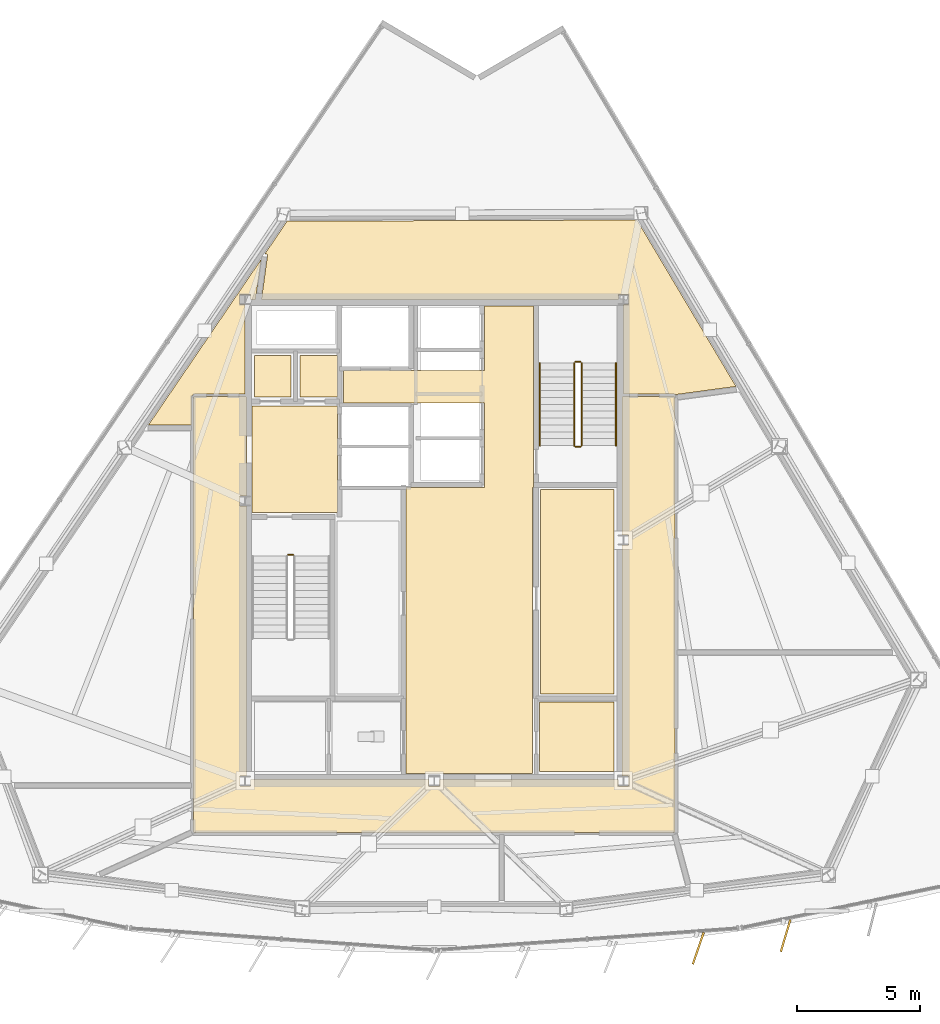
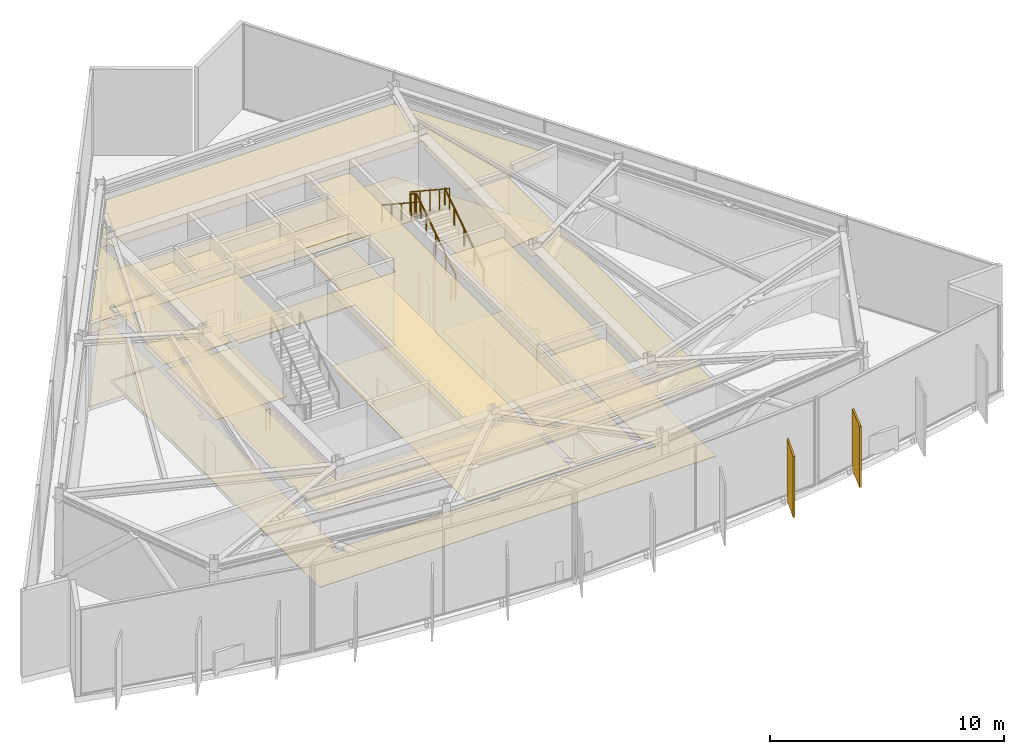
# One storey, part 12 of 14: 18 coverings, 7 railings, 2 shading devices.
"""IFC4 building model written with IfcOpenShell, lengths in metres."""

import ifcopenshell
import ifcopenshell.guid

model = None  # the IFC model being written
_history = None  # IfcOwnerHistory: only IFC2X3 demands one
_inside = {}  # id of a spatial element -> (the spatial element, [elements in it])
_under = {}  # id of a project, library or spatial element -> (it, [spatial elements below it])
_declared = {}  # id of a project -> (the project, [libraries it declares])
_typed = {}  # id of a type object -> (the type object, [elements of that type])
_made_of = {}  # id of a material, layer set ... -> (it, [elements and type objects made of it])


def new_model(schema):
    """Start an empty IFC model of exactly this schema.

    Asked for "IFC4X3", IfcOpenShell would pick the latest addendum, in which some entities
    have other attributes; the version numbers below select the first issue.
    IFC2X3 requires an IfcOwnerHistory on every rooted entity: one is made here for all.
    """
    global model, _history
    if schema == "IFC4X3":
        model = ifcopenshell.file(schema_version=(4, 3, 0, 0))
    else:
        model = ifcopenshell.file(schema=schema)
    _inside.clear()
    _under.clear()
    _declared.clear()
    _typed.clear()
    _made_of.clear()
    _history = None
    if model.schema == "IFC2X3":
        org = make("IfcOrganization", Name="unknown")
        user = make(
            "IfcPersonAndOrganization",
            ThePerson=make("IfcPerson", FamilyName="unknown"),
            TheOrganization=org,
        )
        app = make(
            "IfcApplication",
            ApplicationDeveloper=org,
            Version="unknown",
            ApplicationFullName="unknown",
            ApplicationIdentifier="unknown",
        )
        _history = make(
            "IfcOwnerHistory",
            OwningUser=user,
            OwningApplication=app,
            ChangeAction="ADDED",
            CreationDate=0,
        )
    return model


def make(cls, **values):
    """One entity of the class cls with the attributes given. An attribute that is None is left unset."""
    return model.create_entity(
        cls, **{name: value for name, value in values.items() if value is not None}
    )


def rooted(cls, **values):
    """An entity with a GlobalId (a new one), such as an element, a storey or a relation."""
    return make(cls, GlobalId=ifcopenshell.guid.new(), OwnerHistory=_history, **values)


def si_unit(unit_type, name, prefix=None):
    """IfcSIUnit, for example si_unit("LENGTHUNIT", "METRE", prefix="MILLI")."""
    return make("IfcSIUnit", UnitType=unit_type, Prefix=prefix, Name=name)


def assignment(units):
    """IfcUnitAssignment: the units of a project."""
    return None if units is None else make("IfcUnitAssignment", Units=units)


def point(xyz):
    """IfcCartesianPoint."""
    return None if xyz is None else make("IfcCartesianPoint", Coordinates=xyz)


def direction(xyz):
    """IfcDirection."""
    return None if xyz is None else make("IfcDirection", DirectionRatios=xyz)


def frame(location, z_axis=None, x_axis=None):
    """IfcAxis2Placement3D, a coordinate frame: its origin and axes. An axis left out is left unset."""
    return make(
        "IfcAxis2Placement3D",
        Location=point(location),
        Axis=direction(z_axis),
        RefDirection=direction(x_axis),
    )


def frame_2d(location, x_axis=None):
    """IfcAxis2Placement2D, a coordinate frame in the plane: its origin and x axis."""
    return make(
        "IfcAxis2Placement2D", Location=point(location), RefDirection=direction(x_axis)
    )


def origin():
    """The frame at (0, 0, 0) with its axes left unset."""
    return frame((0.0, 0.0, 0.0))


def origin_2d():
    """The frame at (0, 0) in the plane with its x axis left unset."""
    return frame_2d((0.0, 0.0))


def place(relative_to, where):
    """IfcLocalPlacement: puts the frame where relative to a parent placement (None: the world)."""
    return make(
        "IfcLocalPlacement", PlacementRelTo=relative_to, RelativePlacement=where
    )


def context(
    kind, dimensions, precision=None, world=None, true_north=None, identifier=None
):
    """IfcGeometricRepresentationContext, for example the 3D "Model" context."""
    return make(
        "IfcGeometricRepresentationContext",
        ContextIdentifier=identifier,
        ContextType=kind,
        CoordinateSpaceDimension=dimensions,
        Precision=precision,
        WorldCoordinateSystem=world,
        TrueNorth=true_north,
    )


def subcontext(parent, identifier, kind, view, scale=None):
    """IfcGeometricRepresentationSubContext, for example "Body" below "Model"."""
    return make(
        "IfcGeometricRepresentationSubContext",
        ContextIdentifier=identifier,
        ContextType=kind,
        ParentContext=parent,
        TargetScale=scale,
        TargetView=view,
    )


def project(units=None, contexts=None):
    """IfcProject with its units and contexts."""
    return rooted(
        "IfcProject",
        Name="project",
        RepresentationContexts=contexts,
        UnitsInContext=assignment(units),
    )


def spatial(cls, under=None, at=None, **own):
    """A site, building, storey or space (cls), placed at a placement, below another one or the project."""
    s = rooted(cls, ObjectPlacement=at, **own)
    if under is not None:
        _under.setdefault(under.id(), (under, []))[1].append(s)
    return s


def polyline(points):
    """IfcPolyline through the points."""
    return make("IfcPolyline", Points=[point(p) for p in points])


def profile(cls, at=None, kind="AREA", **sizes):
    """A parametric profile (cls). Its sizes go by their IFC names, for example OverallWidth=200.0."""
    return make(cls, ProfileType=kind, Position=at, **sizes)


def rectangle(**sizes):
    """IfcRectangleProfileDef."""
    return profile("IfcRectangleProfileDef", **sizes)


def circle(**sizes):
    """IfcCircleProfileDef."""
    return profile("IfcCircleProfileDef", **sizes)


def outline(outer, holes=None, kind="AREA"):
    """IfcArbitraryClosedProfileDef: a profile drawn as a closed curve; with holes, ...WithVoids."""
    if holes is None:
        return make("IfcArbitraryClosedProfileDef", ProfileType=kind, OuterCurve=outer)
    return make(
        "IfcArbitraryProfileDefWithVoids",
        ProfileType=kind,
        OuterCurve=outer,
        InnerCurves=holes,
    )


def extrude(swept, where, along, depth):
    """IfcExtrudedAreaSolid: the profile swept, set in the frame where, extruded along a direction by depth."""
    return make(
        "IfcExtrudedAreaSolid",
        SweptArea=swept,
        Position=where,
        ExtrudedDirection=direction(along),
        Depth=depth,
    )


def shape(context_of_items, identifier, shape_type, items):
    """IfcShapeRepresentation: the items that make up one representation, for example the "Body"."""
    return make(
        "IfcShapeRepresentation",
        ContextOfItems=context_of_items,
        RepresentationIdentifier=identifier,
        RepresentationType=shape_type,
        Items=items,
    )


def material(Name=None, Category=None):
    """IfcMaterial."""
    return make("IfcMaterial", Name=Name, Category=Category)


def layer(
    of_material, thickness, ventilated=None, Name=None, Category=None, Priority=None
):
    """IfcMaterialLayer: one layer of a wall or slab, of a material (None: an air gap)."""
    return make(
        "IfcMaterialLayer",
        Material=of_material,
        LayerThickness=thickness,
        IsVentilated=ventilated,
        Name=Name,
        Category=Category,
        Priority=Priority,
    )


def layer_set(layers, Name=None):
    """IfcMaterialLayerSet."""
    return make("IfcMaterialLayerSet", MaterialLayers=layers, LayerSetName=Name)


def made_of(thing, what):
    """Note that an element or type object is made of a material, layer set ...; save() writes the relation."""
    if what is not None:
        _made_of.setdefault(what.id(), (what, []))[1].append(thing)
    return thing


def type_object(cls, material=None, **own):
    """A type object (cls), such as IfcWallType, which elements share."""
    return made_of(rooted(cls, **own), material)


def element(
    cls,
    number,
    at=None,
    inside=None,
    cuts=None,
    type_object=None,
    material=None,
    context=None,
    identifier="Body",
    shape_type=None,
    held_by="IfcProductDefinitionShape",
    body=None,
    shapes=None,
    **own,
):
    """One element of the class cls, such as IfcWall. Its Tag is "e" and its number.

    at: its placement. inside: the storey or other place that contains it. cuts: it is an
    opening in that element (IfcRelVoidsElement). A single representation is given by context,
    identifier, shape_type and body (its items); several are given by shapes. held_by: the class
    of the entity that holds the representations. save() writes the other relations.
    """
    e = rooted(cls, Tag="e%d" % number, ObjectPlacement=at, **own)
    if body is not None:
        shapes = [shape(context, identifier, shape_type, body)]
    if shapes is not None:
        e.Representation = make(held_by, Representations=shapes)
    if inside is not None:
        _inside.setdefault(inside.id(), (inside, []))[1].append(e)
    if cuts is not None:
        rooted(
            "IfcRelVoidsElement", RelatingBuildingElement=cuts, RelatedOpeningElement=e
        )
    if type_object is not None:
        _typed.setdefault(type_object.id(), (type_object, []))[1].append(e)
    return made_of(e, material)


def aggregate(whole, parts):
    """IfcRelAggregates: a whole, such as a stair, and the parts it consists of."""
    return rooted("IfcRelAggregates", RelatingObject=whole, RelatedObjects=parts)


def save(model, path):
    """Write the relations noted so far, then the file.

    IfcRelAggregates (storeys below a building ...), IfcRelContainedInSpatialStructure (elements
    in a storey), IfcRelDefinesByType, IfcRelAssociatesMaterial and IfcRelDeclares: one each for
    every whole, place, type object, material and project.
    """
    for whole, parts in _under.values():
        aggregate(whole, parts)
    for where, things in _inside.values():
        rooted(
            "IfcRelContainedInSpatialStructure",
            RelatedElements=things,
            RelatingStructure=where,
        )
    for kind, things in _typed.values():
        rooted("IfcRelDefinesByType", RelatedObjects=things, RelatingType=kind)
    for what, things in _made_of.values():
        rooted("IfcRelAssociatesMaterial", RelatedObjects=things, RelatingMaterial=what)
    for by, libraries in _declared.values():
        rooted("IfcRelDeclares", RelatingContext=by, RelatedDefinitions=libraries)
    model.write(path)


model = new_model("IFC4")

# Units and contexts
model_context = context("Model", 3, precision=1e-05, world=origin(), true_north=direction((0.0, 1.0)))
body_context = subcontext(model_context, "Body", "Model", "MODEL_VIEW")
ifc_project = project(units=[si_unit("LENGTHUNIT", "METRE"), si_unit("AREAUNIT", "SQUARE_METRE"), si_unit("VOLUMEUNIT", "CUBIC_METRE"), si_unit("PLANEANGLEUNIT", "RADIAN"), si_unit("MASSUNIT", "GRAM", prefix="KILO")], contexts=[model_context])

# Site, building, storey
site_placement = place(None, origin())
site = spatial("IfcSite", under=ifc_project, at=site_placement, CompositionType="ELEMENT")
building_placement = place(site_placement, origin())
building = spatial("IfcBuilding", under=site, at=building_placement, Name="Savorim Split Tower", CompositionType="ELEMENT")
storey_placement = place(building_placement, frame((0.0, 0.0, 241.5)))
storey = spatial("IfcBuildingStorey", under=building, at=storey_placement, Name="L64", CompositionType="ELEMENT", Elevation=241.5)

# Coverings
ifc_material_1 = material(Name="Mineral Fibre Acoustic Ceiling")
ifc_layer_1 = layer(ifc_material_1, 0.02490234375)
ifc_layer_set_1 = layer_set([ifc_layer_1], Name="COV-CEIL-25")
covering_type_1 = type_object("IfcCoveringType", Name="COV-CEIL-25", PredefinedType="CEILING", material=ifc_layer_set_1)
covering_1_placement = place(storey_placement, frame((0.0, 0.0, 3.820068359375)))
element("IfcCovering", 1, at=covering_1_placement, inside=storey, type_object=covering_type_1, Name="L64 Firefighting Lift Lobby Acoustic Ceiling", PredefinedType="CEILING", context=body_context, shape_type="SweptSolid", body=[
    extrude(outline(polyline([(-7.429931640625, 5.8701171875), (-7.429931640625, 1.530029296875), (-3.929931640625, 1.530029296875), (-3.929931640625, 5.8701171875), (-7.429931640625, 5.8701171875)])), origin(), (0.0, 0.0, 1.0), 0.02490234375),
])
covering_2_placement = place(storey_placement, frame((0.0, 0.0, 3.820068359375)))
element("IfcCovering", 2, at=covering_2_placement, inside=storey, type_object=covering_type_1, Name="L64 Electrical Riser Acoustic Ceiling", PredefinedType="CEILING", context=body_context, shape_type="SweptSolid", body=[
    extrude(outline(polyline([(-7.320068359375, 7.919921875), (-7.320068359375, 6.22998046875), (-5.830078125, 6.22998046875), (-5.830078125, 7.919921875), (-7.320068359375, 7.919921875)])), origin(), (0.0, 0.0, 1.0), 0.02490234375),
])
covering_3_placement = place(storey_placement, frame((0.0, 0.0, 3.820068359375)))
element("IfcCovering", 3, at=covering_3_placement, inside=storey, type_object=covering_type_1, Name="L64 Telecom Riser Acoustic Ceiling", PredefinedType="CEILING", context=body_context, shape_type="SweptSolid", body=[
    extrude(outline(polyline([(-5.469970703125, 7.919921875), (-5.469970703125, 6.22998046875), (-3.929931640625, 6.22998046875), (-3.929931640625, 7.919921875), (-5.469970703125, 7.919921875)])), origin(), (0.0, 0.0, 1.0), 0.02490234375),
])
covering_4_placement = place(storey_placement, frame((0.0, 0.0, 3.820068359375)))
element("IfcCovering", 4, at=covering_4_placement, inside=storey, type_object=covering_type_1, Name="L64 Lift Lobby Acoustic Ceiling", PredefinedType="CEILING", context=body_context, shape_type="SweptSolid", body=[
    extrude(outline(polyline([(2.050048828125, 2.550048828125), (-1.14990234375, 2.550048828125), (-1.14990234375, -9.10009765625), (4.0, -9.10009765625), (4.0, 2.550048828125), (4.050048828125, 2.550048828125), (4.050048828125, 5.97998046875), (4.050048828125, 7.300048828125), (4.050048828125, 9.929931640625), (2.050048828125, 9.929931640625), (2.050048828125, 7.300048828125), (-3.699951171875, 7.300048828125), (-3.699951171875, 5.97998046875), (2.050048828125, 5.97998046875), (2.050048828125, 2.550048828125)])), origin(), (0.0, 0.0, 1.0), 0.02490234375),
])
covering_5_placement = place(storey_placement, frame((0.0, 0.0, 3.820068359375)))
element("IfcCovering", 5, at=covering_5_placement, inside=storey, type_object=covering_type_1, Name="L64 Booster Transfer Plant Room Acoustic Ceiling", PredefinedType="CEILING", context=body_context, shape_type="SweptSolid", body=[
    extrude(outline(polyline([(4.330078125, 2.469970703125), (4.330078125, -5.8701171875), (7.320068359375, -5.8701171875), (7.320068359375, 2.469970703125), (4.330078125, 2.469970703125)])), origin(), (0.0, 0.0, 1.0), 0.02490234375),
])
covering_6_placement = place(storey_placement, frame((0.0, 0.0, 3.820068359375)))
element("IfcCovering", 6, at=covering_6_placement, inside=storey, type_object=covering_type_1, Name="L64 Emergency BMS Plant Room Acoustic Ceiling", PredefinedType="CEILING", context=body_context, shape_type="SweptSolid", body=[
    extrude(outline(polyline([(4.280029296875, -6.179931640625), (4.280029296875, -9.02001953125), (7.320068359375, -9.02001953125), (7.320068359375, -6.179931640625), (4.280029296875, -6.179931640625)])), origin(), (0.0, 0.0, 1.0), 0.02490234375),
])
covering_7_placement = place(storey_placement, frame((0.0, 0.0, 3.820068359375)))
element("IfcCovering", 7, at=covering_7_placement, inside=storey, type_object=covering_type_1, Name="L64 Plant Corridor Acoustic Ceiling", PredefinedType="CEILING", context=body_context, shape_type="SweptSolid", body=[
    extrude(outline(polyline([(7.908935546875, 0.196533203125), (7.64990234375, 0.196533203125), (7.64990234375, -9.196533203125), (7.908935546875, -9.196533203125), (7.908935546875, -9.603515625), (7.490966796875, -9.603515625), (7.490966796875, -9.35009765625), (0.208984375, -9.35009765625), (0.208984375, -9.603515625), (-0.208984375, -9.603515625), (-0.208984375, -9.35009765625), (-7.490966796875, -9.35009765625), (-7.490966796875, -9.603515625), (-7.908935546875, -9.603515625), (-7.908935546875, -9.196533203125), (-7.64990234375, -9.196533203125), (-7.64990234375, 1.79638671875), (-7.908935546875, 1.79638671875), (-7.908935546875, 2.20361328125), (-7.64990234375, 2.20361328125), (-7.64990234375, 6.199951171875), (-7.650146484375, 6.204833984375), (-7.65087890625, 6.209716796875), (-7.652099609375, 6.214599609375), (-7.65380859375, 6.218994140625), (-7.656005859375, 6.2236328125), (-7.658447265625, 6.227783203125), (-7.661376953125, 6.231689453125), (-7.66455078125, 6.2353515625), (-7.668212890625, 6.23876953125), (-7.672119140625, 6.24169921875), (-7.676513671875, 6.244140625), (-7.680908203125, 6.24609375), (-7.685546875, 6.247802734375), (-7.690185546875, 6.2490234375), (-7.695068359375, 6.249755859375), (-7.699951171875, 6.25), (-9.75, 6.25), (-9.7548828125, 6.249755859375), (-9.759765625, 6.2490234375), (-9.764404296875, 6.247802734375), (-9.76904296875, 6.24609375), (-9.773681640625, 6.244140625), (-9.77783203125, 6.24169921875), (-9.78173828125, 6.23876953125), (-9.785400390625, 6.2353515625), (-9.788818359375, 6.231689453125), (-9.79150390625, 6.227783203125), (-9.794189453125, 6.2236328125), (-9.796142578125, 6.218994140625), (-9.7978515625, 6.214599609375), (-9.799072265625, 6.209716796875), (-9.7998046875, 6.204833984375), (-9.800048828125, 6.199951171875), (-9.800048828125, -11.449951171875), (-9.7998046875, -11.454833984375), (-9.799072265625, -11.459716796875), (-9.7978515625, -11.464599609375), (-9.796142578125, -11.468994140625), (-9.794189453125, -11.4736328125), (-9.79150390625, -11.477783203125), (-9.788818359375, -11.481689453125), (-9.785400390625, -11.4853515625), (-9.78173828125, -11.48876953125), (-9.77783203125, -11.49169921875), (-9.773681640625, -11.494140625), (-9.76904296875, -11.49609375), (-9.764404296875, -11.497802734375), (-9.759765625, -11.4990234375), (-9.7548828125, -11.499755859375), (-9.75, -11.5), (9.75, -11.5), (9.7548828125, -11.499755859375), (9.759765625, -11.4990234375), (9.764404296875, -11.497802734375), (9.76904296875, -11.49609375), (9.773681640625, -11.494140625), (9.77783203125, -11.49169921875), (9.78173828125, -11.48876953125), (9.785400390625, -11.4853515625), (9.788818359375, -11.481689453125), (9.79150390625, -11.477783203125), (9.794189453125, -11.4736328125), (9.796142578125, -11.468994140625), (9.7978515625, -11.464599609375), (9.799072265625, -11.459716796875), (9.7998046875, -11.454833984375), (9.800048828125, -11.449951171875), (9.800048828125, 6.199951171875), (9.7998046875, 6.204833984375), (9.799072265625, 6.209716796875), (9.7978515625, 6.214599609375), (9.796142578125, 6.218994140625), (9.794189453125, 6.2236328125), (9.79150390625, 6.227783203125), (9.788818359375, 6.231689453125), (9.785400390625, 6.2353515625), (9.78173828125, 6.23876953125), (9.77783203125, 6.24169921875), (9.773681640625, 6.244140625), (9.76904296875, 6.24609375), (9.764404296875, 6.247802734375), (9.759765625, 6.2490234375), (9.7548828125, 6.249755859375), (9.75, 6.25), (7.699951171875, 6.25), (7.695068359375, 6.249755859375), (7.690185546875, 6.2490234375), (7.685546875, 6.247802734375), (7.680908203125, 6.24609375), (7.676513671875, 6.244140625), (7.672119140625, 6.24169921875), (7.668212890625, 6.23876953125), (7.66455078125, 6.2353515625), (7.661376953125, 6.231689453125), (7.658447265625, 6.227783203125), (7.656005859375, 6.2236328125), (7.65380859375, 6.218994140625), (7.652099609375, 6.214599609375), (7.65087890625, 6.209716796875), (7.650146484375, 6.204833984375), (7.64990234375, 6.199951171875), (7.64990234375, 0.603515625), (7.908935546875, 0.603515625), (7.908935546875, 0.196533203125)])), origin(), (0.0, 0.0, 1.0), 0.02490234375),
])
covering_8_placement = place(storey_placement, frame((0.0, 0.0, 3.820068359375)))
element("IfcCovering", 8, at=covering_8_placement, inside=storey, type_object=covering_type_1, Name="L64 Refuge Area South-West Acoustic Ceiling", PredefinedType="CEILING", context=body_context, shape_type="SweptSolid", body=[
    extrude(outline(polyline([(12.28369140625, 6.657958984375), (8.25439453125, 13.43408203125), (-5.98974609375, 13.386474609375), (-6.898193359375, 12.05078125), (-6.783203125, 12.034912109375), (-7.03515625, 10.199951171875), (7.490966796875, 10.199951171875), (7.490966796875, 10.403564453125), (7.908935546875, 10.403564453125), (7.908935546875, 9.99658203125), (7.699951171875, 9.99658203125), (7.699951171875, 6.340087890625), (9.75, 6.340087890625), (9.763671875, 6.33935546875), (9.77734375, 6.33740234375), (9.79052734375, 6.333984375), (9.8037109375, 6.329345703125), (9.813720703125, 6.32470703125), (12.280517578125, 6.657470703125), (12.28369140625, 6.657958984375)])), origin(), (0.0, 0.0, 1.0), 0.02490234375),
])
covering_9_placement = place(storey_placement, frame((0.0, 0.0, 3.820068359375)))
element("IfcCovering", 9, at=covering_9_placement, inside=storey, type_object=covering_type_1, Name="L64 Booster Pump Plant Room 1 Acoustic Ceiling", PredefinedType="CEILING", context=body_context, shape_type="SweptSolid", body=[
    extrude(outline(polyline([(-7.490966796875, 10.199951171875), (-7.27734375, 10.199951171875), (-7.054931640625, 11.820556640625), (-11.63232421875, 5.091796875), (-9.889892578125, 5.091796875), (-9.889892578125, 6.199951171875), (-9.889404296875, 6.213623046875), (-9.88720703125, 6.227294921875), (-9.884033203125, 6.240478515625), (-9.87939453125, 6.253662109375), (-9.87353515625, 6.26611328125), (-9.866455078125, 6.27783203125), (-9.858154296875, 6.288818359375), (-9.84912109375, 6.299072265625), (-9.8388671875, 6.30810546875), (-9.827880859375, 6.31640625), (-9.81591796875, 6.323486328125), (-9.8037109375, 6.329345703125), (-9.79052734375, 6.333984375), (-9.77734375, 6.33740234375), (-9.763671875, 6.33935546875), (-9.75, 6.340087890625), (-7.699951171875, 6.340087890625), (-7.699951171875, 9.99658203125), (-7.908935546875, 9.99658203125), (-7.908935546875, 10.403564453125), (-7.490966796875, 10.403564453125), (-7.490966796875, 10.199951171875)])), origin(), (0.0, 0.0, 1.0), 0.02490234375),
])
ifc_material_2 = material(Name="Porcelain Stoneware Flooring", Category="masonry")
ifc_layer_2 = layer(ifc_material_2, 0.02001953125)
ifc_layer_set_2 = layer_set([ifc_layer_2], Name="COV-FLOR-20")
covering_type_2 = type_object("IfcCoveringType", Name="COV-FLOR-20", PredefinedType="FLOORING", material=ifc_layer_set_2)
covering_10_placement = place(storey_placement, origin())
element("IfcCovering", 10, at=covering_10_placement, inside=storey, type_object=covering_type_2, Name="L64 Firefighting Lift Lobby Porcelain Flooring", PredefinedType="FLOORING", context=body_context, shape_type="SweptSolid", body=[
    extrude(outline(polyline([(-7.429931640625, 5.8701171875), (-7.429931640625, 1.530029296875), (-3.929931640625, 1.530029296875), (-3.929931640625, 5.8701171875), (-7.429931640625, 5.8701171875)])), origin(), (0.0, 0.0, 1.0), 0.02001953125),
])
covering_11_placement = place(storey_placement, origin())
element("IfcCovering", 11, at=covering_11_placement, inside=storey, type_object=covering_type_2, Name="L64 Electrical Riser Porcelain Flooring", PredefinedType="FLOORING", context=body_context, shape_type="SweptSolid", body=[
    extrude(outline(polyline([(-7.320068359375, 7.919921875), (-7.320068359375, 6.22998046875), (-5.830078125, 6.22998046875), (-5.830078125, 7.919921875), (-7.320068359375, 7.919921875)])), origin(), (0.0, 0.0, 1.0), 0.02001953125),
])
covering_12_placement = place(storey_placement, origin())
element("IfcCovering", 12, at=covering_12_placement, inside=storey, type_object=covering_type_2, Name="L64 Telecom Riser Porcelain Flooring", PredefinedType="FLOORING", context=body_context, shape_type="SweptSolid", body=[
    extrude(outline(polyline([(-5.469970703125, 7.919921875), (-5.469970703125, 6.22998046875), (-3.929931640625, 6.22998046875), (-3.929931640625, 7.919921875), (-5.469970703125, 7.919921875)])), origin(), (0.0, 0.0, 1.0), 0.02001953125),
])
covering_13_placement = place(storey_placement, origin())
element("IfcCovering", 13, at=covering_13_placement, inside=storey, type_object=covering_type_2, Name="L64 Lift Lobby Porcelain Flooring", PredefinedType="FLOORING", context=body_context, shape_type="SweptSolid", body=[
    extrude(outline(polyline([(2.050048828125, 2.550048828125), (-1.14990234375, 2.550048828125), (-1.14990234375, -9.10009765625), (4.0, -9.10009765625), (4.0, 2.550048828125), (4.050048828125, 2.550048828125), (4.050048828125, 5.97998046875), (4.050048828125, 7.300048828125), (4.050048828125, 9.929931640625), (2.050048828125, 9.929931640625), (2.050048828125, 7.300048828125), (-3.699951171875, 7.300048828125), (-3.699951171875, 5.97998046875), (2.050048828125, 5.97998046875), (2.050048828125, 2.550048828125)])), origin(), (0.0, 0.0, 1.0), 0.02001953125),
])
covering_14_placement = place(storey_placement, origin())
element("IfcCovering", 14, at=covering_14_placement, inside=storey, type_object=covering_type_2, Name="L64 Booster Transfer Plant Room Porcelain Flooring", PredefinedType="FLOORING", context=body_context, shape_type="SweptSolid", body=[
    extrude(outline(polyline([(4.330078125, 2.469970703125), (4.330078125, -5.8701171875), (7.320068359375, -5.8701171875), (7.320068359375, 2.469970703125), (4.330078125, 2.469970703125)])), origin(), (0.0, 0.0, 1.0), 0.02001953125),
])
covering_15_placement = place(storey_placement, origin())
element("IfcCovering", 15, at=covering_15_placement, inside=storey, type_object=covering_type_2, Name="L64 Emergency BMS Plant Room Porcelain Flooring", PredefinedType="FLOORING", context=body_context, shape_type="SweptSolid", body=[
    extrude(outline(polyline([(4.280029296875, -6.179931640625), (4.280029296875, -9.02001953125), (7.320068359375, -9.02001953125), (7.320068359375, -6.179931640625), (4.280029296875, -6.179931640625)])), origin(), (0.0, 0.0, 1.0), 0.02001953125),
])
covering_16_placement = place(storey_placement, origin())
element("IfcCovering", 16, at=covering_16_placement, inside=storey, type_object=covering_type_2, Name="L64 Plant Corridor Porcelain Flooring", PredefinedType="FLOORING", context=body_context, shape_type="SweptSolid", body=[
    extrude(outline(polyline([(7.908935546875, 0.196533203125), (7.64990234375, 0.196533203125), (7.64990234375, -9.196533203125), (7.908935546875, -9.196533203125), (7.908935546875, -9.603515625), (7.490966796875, -9.603515625), (7.490966796875, -9.35009765625), (0.208984375, -9.35009765625), (0.208984375, -9.603515625), (-0.208984375, -9.603515625), (-0.208984375, -9.35009765625), (-7.490966796875, -9.35009765625), (-7.490966796875, -9.603515625), (-7.908935546875, -9.603515625), (-7.908935546875, -9.196533203125), (-7.64990234375, -9.196533203125), (-7.64990234375, 1.79638671875), (-7.908935546875, 1.79638671875), (-7.908935546875, 2.20361328125), (-7.64990234375, 2.20361328125), (-7.64990234375, 6.199951171875), (-7.650146484375, 6.204833984375), (-7.65087890625, 6.209716796875), (-7.652099609375, 6.214599609375), (-7.65380859375, 6.218994140625), (-7.656005859375, 6.2236328125), (-7.658447265625, 6.227783203125), (-7.661376953125, 6.231689453125), (-7.66455078125, 6.2353515625), (-7.668212890625, 6.23876953125), (-7.672119140625, 6.24169921875), (-7.676513671875, 6.244140625), (-7.680908203125, 6.24609375), (-7.685546875, 6.247802734375), (-7.690185546875, 6.2490234375), (-7.695068359375, 6.249755859375), (-7.699951171875, 6.25), (-9.75, 6.25), (-9.7548828125, 6.249755859375), (-9.759765625, 6.2490234375), (-9.764404296875, 6.247802734375), (-9.76904296875, 6.24609375), (-9.773681640625, 6.244140625), (-9.77783203125, 6.24169921875), (-9.78173828125, 6.23876953125), (-9.785400390625, 6.2353515625), (-9.788818359375, 6.231689453125), (-9.79150390625, 6.227783203125), (-9.794189453125, 6.2236328125), (-9.796142578125, 6.218994140625), (-9.7978515625, 6.214599609375), (-9.799072265625, 6.209716796875), (-9.7998046875, 6.204833984375), (-9.800048828125, 6.199951171875), (-9.800048828125, -11.449951171875), (-9.7998046875, -11.454833984375), (-9.799072265625, -11.459716796875), (-9.7978515625, -11.464599609375), (-9.796142578125, -11.468994140625), (-9.794189453125, -11.4736328125), (-9.79150390625, -11.477783203125), (-9.788818359375, -11.481689453125), (-9.785400390625, -11.4853515625), (-9.78173828125, -11.48876953125), (-9.77783203125, -11.49169921875), (-9.773681640625, -11.494140625), (-9.76904296875, -11.49609375), (-9.764404296875, -11.497802734375), (-9.759765625, -11.4990234375), (-9.7548828125, -11.499755859375), (-9.75, -11.5), (9.75, -11.5), (9.7548828125, -11.499755859375), (9.759765625, -11.4990234375), (9.764404296875, -11.497802734375), (9.76904296875, -11.49609375), (9.773681640625, -11.494140625), (9.77783203125, -11.49169921875), (9.78173828125, -11.48876953125), (9.785400390625, -11.4853515625), (9.788818359375, -11.481689453125), (9.79150390625, -11.477783203125), (9.794189453125, -11.4736328125), (9.796142578125, -11.468994140625), (9.7978515625, -11.464599609375), (9.799072265625, -11.459716796875), (9.7998046875, -11.454833984375), (9.800048828125, -11.449951171875), (9.800048828125, 6.199951171875), (9.7998046875, 6.204833984375), (9.799072265625, 6.209716796875), (9.7978515625, 6.214599609375), (9.796142578125, 6.218994140625), (9.794189453125, 6.2236328125), (9.79150390625, 6.227783203125), (9.788818359375, 6.231689453125), (9.785400390625, 6.2353515625), (9.78173828125, 6.23876953125), (9.77783203125, 6.24169921875), (9.773681640625, 6.244140625), (9.76904296875, 6.24609375), (9.764404296875, 6.247802734375), (9.759765625, 6.2490234375), (9.7548828125, 6.249755859375), (9.75, 6.25), (7.699951171875, 6.25), (7.695068359375, 6.249755859375), (7.690185546875, 6.2490234375), (7.685546875, 6.247802734375), (7.680908203125, 6.24609375), (7.676513671875, 6.244140625), (7.672119140625, 6.24169921875), (7.668212890625, 6.23876953125), (7.66455078125, 6.2353515625), (7.661376953125, 6.231689453125), (7.658447265625, 6.227783203125), (7.656005859375, 6.2236328125), (7.65380859375, 6.218994140625), (7.652099609375, 6.214599609375), (7.65087890625, 6.209716796875), (7.650146484375, 6.204833984375), (7.64990234375, 6.199951171875), (7.64990234375, 0.603515625), (7.908935546875, 0.603515625), (7.908935546875, 0.196533203125)])), origin(), (0.0, 0.0, 1.0), 0.02001953125),
])
covering_17_placement = place(storey_placement, origin())
element("IfcCovering", 17, at=covering_17_placement, inside=storey, type_object=covering_type_2, Name="L64 Refuge Area South-West Porcelain Flooring", PredefinedType="FLOORING", context=body_context, shape_type="SweptSolid", body=[
    extrude(outline(polyline([(12.28369140625, 6.657958984375), (8.25439453125, 13.43408203125), (-5.98974609375, 13.386474609375), (-6.898193359375, 12.05078125), (-6.783203125, 12.034912109375), (-7.03515625, 10.199951171875), (7.490966796875, 10.199951171875), (7.490966796875, 10.403564453125), (7.908935546875, 10.403564453125), (7.908935546875, 9.99658203125), (7.699951171875, 9.99658203125), (7.699951171875, 6.340087890625), (9.75, 6.340087890625), (9.763671875, 6.33935546875), (9.77734375, 6.33740234375), (9.79052734375, 6.333984375), (9.8037109375, 6.329345703125), (9.813720703125, 6.32470703125), (12.280517578125, 6.657470703125), (12.28369140625, 6.657958984375)])), origin(), (0.0, 0.0, 1.0), 0.02001953125),
])
covering_18_placement = place(storey_placement, origin())
element("IfcCovering", 18, at=covering_18_placement, inside=storey, type_object=covering_type_2, Name="L64 Booster Pump Plant Room 1 Porcelain Flooring", PredefinedType="FLOORING", context=body_context, shape_type="SweptSolid", body=[
    extrude(outline(polyline([(-7.490966796875, 10.199951171875), (-7.27734375, 10.199951171875), (-7.054931640625, 11.820556640625), (-11.63232421875, 5.091796875), (-9.889892578125, 5.091796875), (-9.889892578125, 6.199951171875), (-9.889404296875, 6.213623046875), (-9.88720703125, 6.227294921875), (-9.884033203125, 6.240478515625), (-9.87939453125, 6.253662109375), (-9.87353515625, 6.26611328125), (-9.866455078125, 6.27783203125), (-9.858154296875, 6.288818359375), (-9.84912109375, 6.299072265625), (-9.8388671875, 6.30810546875), (-9.827880859375, 6.31640625), (-9.81591796875, 6.323486328125), (-9.8037109375, 6.329345703125), (-9.79052734375, 6.333984375), (-9.77734375, 6.33740234375), (-9.763671875, 6.33935546875), (-9.75, 6.340087890625), (-7.699951171875, 6.340087890625), (-7.699951171875, 9.99658203125), (-7.908935546875, 9.99658203125), (-7.908935546875, 10.403564453125), (-7.490966796875, 10.403564453125), (-7.490966796875, 10.199951171875)])), origin(), (0.0, 0.0, 1.0), 0.02001953125),
])

# Railings
ifc_material_3 = material(Name="Galvanised Painted Steel Balustrade", Category="steel")
railing_type_1 = type_object("IfcRailingType", Name="RLG-HR-900", PredefinedType="HANDRAIL", material=ifc_material_3)
railing_1_placement = place(storey_placement, frame((7.39990234375, 4.25, 0.1845703125)))
element("IfcRailing", 19, at=railing_1_placement, inside=storey, type_object=railing_type_1, Name="L64 ST-2 stair handrail 1", PredefinedType="HANDRAIL", context=body_context, shape_type="SweptSolid", body=[
    extrude(circle(Radius=0.02392578125, at=origin_2d()), frame((0.0, 0.0, 0.8759765625), z_axis=(0.0, 0.834876476806, 0.550437342915), x_axis=(-1.0, 0.0, 0.0)), (0.0, 0.0, 1.0), 4.024658203125),
    extrude(circle(Radius=0.02099609375, at=origin_2d()), origin(), (0.0, 0.0, 1.0), 0.851806640625),
    extrude(circle(Radius=0.02099609375, at=origin_2d()), frame((0.0, 0.840087890625, 0.5537109375)), (0.0, 0.0, 1.0), 0.851806640625),
    extrude(circle(Radius=0.02099609375, at=origin_2d()), frame((0.0, 1.68017578125, 1.107666015625)), (0.0, 0.0, 1.0), 0.851806640625),
    extrude(circle(Radius=0.02099609375, at=origin_2d()), frame((0.0, 2.52001953125, 1.66162109375)), (0.0, 0.0, 1.0), 0.851806640625),
    extrude(circle(Radius=0.02099609375, at=origin_2d()), frame((0.0, 3.360107421875, 2.21533203125)), (0.0, 0.0, 1.0), 0.851806640625),
])
railing_2_placement = place(storey_placement, frame((4.300048828125, 7.610107421875, 2.584716796875)))
element("IfcRailing", 20, at=railing_2_placement, inside=storey, type_object=railing_type_1, Name="L64 ST-2 stair handrail 2", PredefinedType="HANDRAIL", context=body_context, shape_type="SweptSolid", body=[
    extrude(circle(Radius=0.02392578125, at=origin_2d()), frame((0.0, 0.0, 0.8759765625), z_axis=(0.0, -0.834876476806, 0.550437342915), x_axis=(1.0, 0.0, 0.0)), (0.0, 0.0, 1.0), 4.024658203125),
    extrude(circle(Radius=0.02099609375, at=origin_2d()), origin(), (0.0, 0.0, 1.0), 0.851806640625),
    extrude(circle(Radius=0.02099609375, at=origin_2d()), frame((0.0, -0.840087890625, 0.5537109375)), (0.0, 0.0, 1.0), 0.851806640625),
    extrude(circle(Radius=0.02099609375, at=origin_2d()), frame((0.0, -1.68017578125, 1.107666015625)), (0.0, 0.0, 1.0), 0.851806640625),
    extrude(circle(Radius=0.02099609375, at=origin_2d()), frame((0.0, -2.52001953125, 1.66162109375)), (0.0, 0.0, 1.0), 0.851806640625),
    extrude(circle(Radius=0.02099609375, at=origin_2d()), frame((0.0, -3.360107421875, 2.21533203125)), (0.0, 0.0, 1.0), 0.851806640625),
])
railing_type_2 = type_object("IfcRailingType", Name="RLG-STG-1100", PredefinedType="BALUSTRADE", material=ifc_material_3)
railing_3_placement = place(storey_placement, frame((-5.949951171875, -0.199951171875, 0.0)))
element("IfcRailing", 21, at=railing_3_placement, inside=storey, type_object=railing_type_2, Name="L64 ST-1 stair guard 4", PredefinedType="BALUSTRADE", context=body_context, shape_type="SweptSolid", body=[
    extrude(circle(Radius=0.02392578125, at=origin_2d()), frame((0.0, 0.0, 1.076171875), z_axis=(1.0, 0.0, 0.0), x_axis=(0.0, 1.0, 0.0)), (0.0, 0.0, 1.0), 0.199951171875),
    extrude(circle(Radius=0.02099609375, at=origin_2d()), origin(), (0.0, 0.0, 1.0), 1.052001953125),
    extrude(circle(Radius=0.02099609375, at=origin_2d()), frame((0.199951171875, 0.0, 0.0)), (0.0, 0.0, 1.0), 1.052001953125),
])
railing_4_placement = place(storey_placement, frame((6.0, 4.25, 0.1845703125)))
element("IfcRailing", 22, at=railing_4_placement, inside=storey, type_object=railing_type_2, Name="L64 ST-2 stair guard 1", PredefinedType="BALUSTRADE", context=body_context, shape_type="SweptSolid", body=[
    extrude(circle(Radius=0.02392578125, at=origin_2d()), frame((0.0, 0.0, 1.076171875), z_axis=(0.0, 0.834876476806, 0.550437342915), x_axis=(-1.0, 0.0, 0.0)), (0.0, 0.0, 1.0), 4.024658203125),
    extrude(circle(Radius=0.02099609375, at=origin_2d()), origin(), (0.0, 0.0, 1.0), 1.052001953125),
    extrude(circle(Radius=0.02099609375, at=origin_2d()), frame((0.0, 0.840087890625, 0.5537109375)), (0.0, 0.0, 1.0), 1.052001953125),
    extrude(circle(Radius=0.02099609375, at=origin_2d()), frame((0.0, 1.68017578125, 1.107666015625)), (0.0, 0.0, 1.0), 1.052001953125),
    extrude(circle(Radius=0.02099609375, at=origin_2d()), frame((0.0, 2.52001953125, 1.66162109375)), (0.0, 0.0, 1.0), 1.052001953125),
    extrude(circle(Radius=0.02099609375, at=origin_2d()), frame((0.0, 3.360107421875, 2.21533203125)), (0.0, 0.0, 1.0), 1.052001953125),
])
railing_5_placement = place(storey_placement, frame((5.949951171875, 7.659912109375, 2.39990234375)))
element("IfcRailing", 23, at=railing_5_placement, inside=storey, type_object=railing_type_2, Name="L64 ST-2 stair guard 2", PredefinedType="BALUSTRADE", context=body_context, shape_type="SweptSolid", body=[
    extrude(circle(Radius=0.02392578125, at=origin_2d()), frame((0.0, 0.0, 1.076171875), z_axis=(-1.0, 0.0, 0.0), x_axis=(0.0, -1.0, 0.0)), (0.0, 0.0, 1.0), 0.199951171875),
    extrude(circle(Radius=0.02099609375, at=origin_2d()), origin(), (0.0, 0.0, 1.0), 1.052001953125),
    extrude(circle(Radius=0.02099609375, at=origin_2d()), frame((-0.199951171875, 0.0, 0.0)), (0.0, 0.0, 1.0), 1.052001953125),
])
railing_6_placement = place(storey_placement, frame((5.699951171875, 7.610107421875, 2.584716796875)))
element("IfcRailing", 24, at=railing_6_placement, inside=storey, type_object=railing_type_2, Name="L64 ST-2 stair guard 3", PredefinedType="BALUSTRADE", context=body_context, shape_type="SweptSolid", body=[
    extrude(circle(Radius=0.02392578125, at=origin_2d()), frame((0.0, 0.0, 1.076171875), z_axis=(0.0, -0.834876476806, 0.550437342915), x_axis=(1.0, 0.0, 0.0)), (0.0, 0.0, 1.0), 4.024658203125),
    extrude(circle(Radius=0.02099609375, at=origin_2d()), origin(), (0.0, 0.0, 1.0), 1.052001953125),
    extrude(circle(Radius=0.02099609375, at=origin_2d()), frame((0.0, -0.840087890625, 0.5537109375)), (0.0, 0.0, 1.0), 1.052001953125),
    extrude(circle(Radius=0.02099609375, at=origin_2d()), frame((0.0, -1.68017578125, 1.107666015625)), (0.0, 0.0, 1.0), 1.052001953125),
    extrude(circle(Radius=0.02099609375, at=origin_2d()), frame((0.0, -2.52001953125, 1.66162109375)), (0.0, 0.0, 1.0), 1.052001953125),
    extrude(circle(Radius=0.02099609375, at=origin_2d()), frame((0.0, -3.360107421875, 2.21533203125)), (0.0, 0.0, 1.0), 1.052001953125),
])
railing_7_placement = place(storey_placement, frame((5.949951171875, 4.199951171875, 0.0)))
element("IfcRailing", 25, at=railing_7_placement, inside=storey, type_object=railing_type_2, Name="L64 ST-2 stair guard 4", PredefinedType="BALUSTRADE", context=body_context, shape_type="SweptSolid", body=[
    extrude(circle(Radius=0.02392578125, at=origin_2d()), frame((0.0, 0.0, 1.076171875), z_axis=(-1.0, 0.0, 0.0), x_axis=(0.0, -1.0, 0.0)), (0.0, 0.0, 1.0), 0.199951171875),
    extrude(circle(Radius=0.02099609375, at=origin_2d()), origin(), (0.0, 0.0, 1.0), 1.052001953125),
    extrude(circle(Radius=0.02099609375, at=origin_2d()), frame((-0.199951171875, 0.0, 0.0)), (0.0, 0.0, 1.0), 1.052001953125),
])

# Shading devices
ifc_material_4 = material(Name="Terracotta Ceramic-Coated Aluminium Fin", Category="masonry")
shading_device_type = type_object("IfcShadingDeviceType", Name="SHD-FIN-1360", PredefinedType="USERDEFINED", material=ifc_material_4)
for number, where, z_axis, x_axis, name in (
    (26, (10.748291015625, -16.218505859375, -0.2001953125), (0.0, 0.0, 1.0), (-0.324993810493, -0.945716143005, 0.0), "L64 Sawtooth Shading Fin 10"),
    (27, (14.302978515625, -15.705810546875, -0.2001953125), (0.0, 0.0, 1.0), (-0.286026212504, -0.958221793616, 0.0), "L64 Sawtooth Shading Fin 11"),
):
    element("IfcShadingDevice", number, at=place(storey_placement, frame(where, z_axis=z_axis, x_axis=x_axis)), inside=storey, type_object=shading_device_type, Name=name, ObjectType="FIN", PredefinedType="USERDEFINED", context=body_context, shape_type="SweptSolid", body=[
        extrude(rectangle(XDim=1.360107421875, YDim=0.080078125, at=origin_2d()), origin(), (0.0, 0.0, 1.0), 3.199951171875),
    ])

save(model, "model.ifc")
